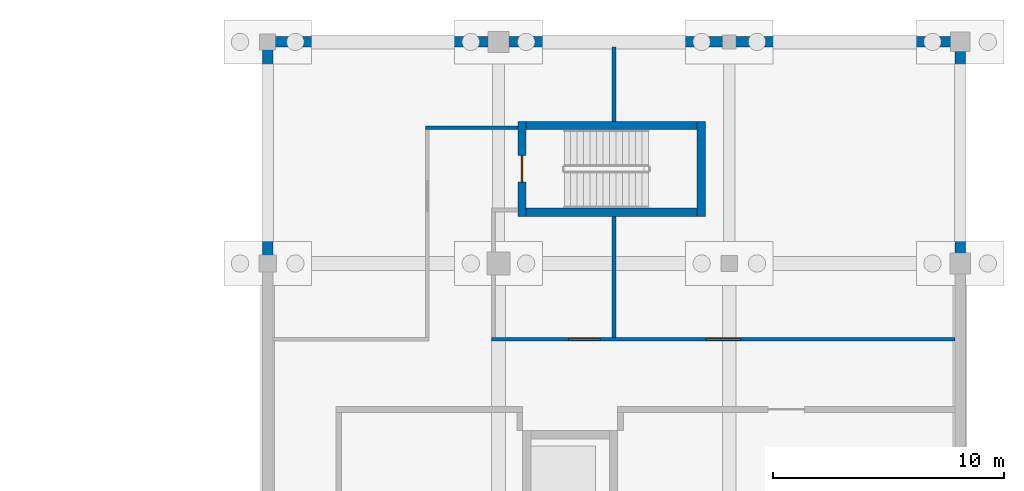
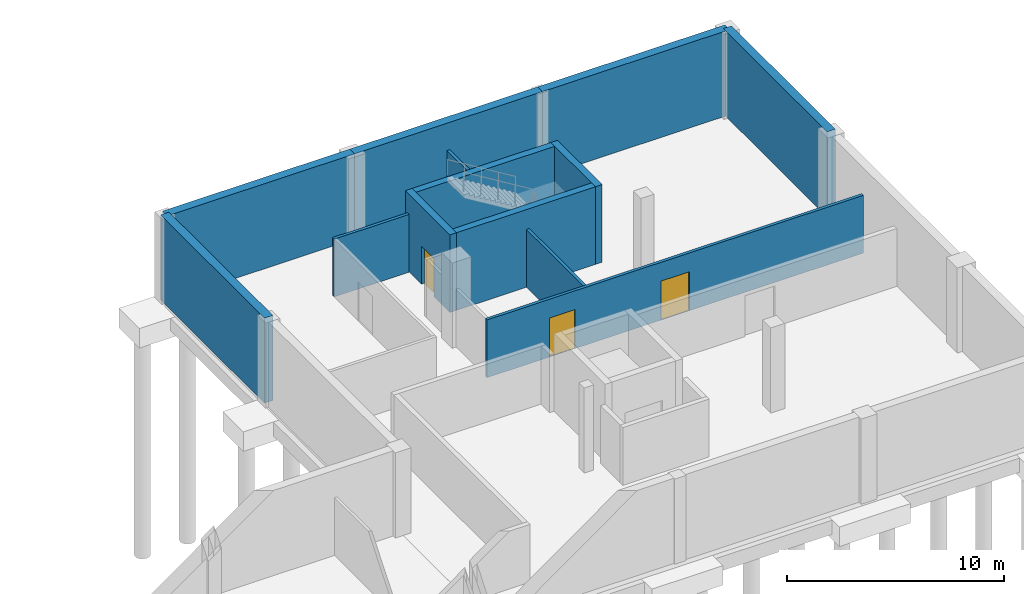
# One storey, part 19 of 28: 13 walls, 3 doors, 3 openings.
"""IFC4 building model written with IfcOpenShell, lengths in metres."""

from ifc_helpers import new_model, si_unit, direction, frame, frame_2d, origin, place, context, subcontext, project, spatial, rectangle, extrude, material, layer, layer_set, type_object, element, fill, save


model = new_model("IFC4")

# Units and contexts
model_context = context("Model", 3, precision=1e-05, world=origin(), true_north=direction((0.0, 1.0)))
body_context = subcontext(model_context, "Body", "Model", "MODEL_VIEW")
ifc_project = project(units=[si_unit("LENGTHUNIT", "METRE"), si_unit("AREAUNIT", "SQUARE_METRE"), si_unit("VOLUMEUNIT", "CUBIC_METRE"), si_unit("PLANEANGLEUNIT", "RADIAN"), si_unit("MASSUNIT", "GRAM", prefix="KILO")], contexts=[model_context])

# Site, building, storey
site_placement = place(None, origin())
site = spatial("IfcSite", under=ifc_project, at=site_placement, CompositionType="ELEMENT")
building_placement = place(site_placement, origin())
building = spatial("IfcBuilding", under=site, at=building_placement, Name="Zereglee Splitstone Museum", CompositionType="ELEMENT")
storey_placement = place(building_placement, frame((0.0, 0.0, -4.800048828125)))
storey = spatial("IfcBuildingStorey", under=building, at=storey_placement, Name="B1", CompositionType="ELEMENT", Elevation=-4.800048828125)

# Walls
ifc_material_1 = material(Name="Concrete C40/50", Category="concrete")
ifc_layer_1 = layer(ifc_material_1, 0.449951171875)
ifc_layer_set_1 = layer_set([ifc_layer_1], Name="Concrete C40/50")
wall_type_1 = type_object("IfcWallType", Name="ESW-01", PredefinedType="SHEAR", material=ifc_layer_set_1)
wall_1_placement = place(storey_placement, frame((326.0, 50.39990234375, 0.0), z_axis=(0.0, 0.0, 1.0), x_axis=(0.0, 1.0, 0.0)))
element("IfcWall", 1, at=wall_1_placement, inside=storey, type_object=wall_type_1, Name="Basement Perimeter Retaining Wall B1-034", PredefinedType="SHEAR", context=body_context, shape_type="SweptSolid", body=[
    extrude(rectangle(XDim=9.60009765625, YDim=0.449951171875, at=frame_2d((4.800048828125, 0.0))), origin(), (0.0, 0.0, 1.0), 4.800048828125),
])
for number, where, z_axis, x_axis, name in (
    (2, (326.0, 60.0, 0.0), (0.0, 0.0, 1.0), (-1.0, 0.0, 0.0), "Basement Perimeter Retaining Wall B1-035"),
    (3, (316.0, 60.0, 0.0), (0.0, 0.0, 1.0), (-1.0, 0.0, 0.0), "Basement Perimeter Retaining Wall B1-036"),
    (4, (306.0, 60.0, 0.0), (0.0, 0.0, 1.0), (-1.0, 0.0, 0.0), "Basement Perimeter Retaining Wall B1-037"),
):
    element("IfcWall", number, at=place(storey_placement, frame(where, z_axis=z_axis, x_axis=x_axis)), inside=storey, type_object=wall_type_1, Name=name, PredefinedType="SHEAR", context=body_context, shape_type="SweptSolid", body=[
        extrude(rectangle(XDim=10.0, YDim=0.449951171875, at=frame_2d((5.0, 0.0))), origin(), (0.0, 0.0, 1.0), 4.800048828125),
    ])
wall_2_placement = place(storey_placement, frame((296.0, 60.0, 0.0), z_axis=(0.0, 0.0, 1.0), x_axis=(0.0, -1.0, 0.0)))
element("IfcWall", 5, at=wall_2_placement, inside=storey, type_object=wall_type_1, Name="Basement Perimeter Retaining Wall B1-038", PredefinedType="SHEAR", context=body_context, shape_type="SweptSolid", body=[
    extrude(rectangle(XDim=9.60009765625, YDim=0.449951171875, at=frame_2d((4.800048828125, 0.0))), origin(), (0.0, 0.0, 1.0), 4.800048828125),
])

# Wall, opening, door
ifc_material_2 = material(Name="Concrete C45/55", Category="concrete")
ifc_layer_2 = layer(ifc_material_2, 0.360107421875)
ifc_layer_set_2 = layer_set([ifc_layer_2], Name="Concrete C45/55")
wall_type_2 = type_object("IfcWallType", Name="CSW-02", PredefinedType="SHEAR", material=ifc_layer_set_2)
wall_3_placement = place(storey_placement, frame((307.02001953125, 52.43994140625, 0.0), z_axis=(0.0, 0.0, 1.0), x_axis=(0.0, 1.0, 0.0)))
wall_3 = element("IfcWall", 6, at=wall_3_placement, inside=storey, type_object=wall_type_2, Name="Stair Core Shear Wall ST-08 B1 West", PredefinedType="SHEAR", context=body_context, shape_type="SweptSolid", body=[
    extrude(rectangle(XDim=4.1201171875, YDim=0.360107421875, at=frame_2d((2.06005859375, 0.0))), origin(), (0.0, 0.0, 1.0), 4.380126953125),
])
opening_1_placement = place(wall_3_placement, frame((1.485107421875, 0.0, 0.0)))
opening_1 = element("IfcOpeningElement", 7, at=opening_1_placement, cuts=wall_3, Name="Opening ID-03", PredefinedType="OPENING", context=body_context, shape_type="SweptSolid", body=[
    extrude(rectangle(XDim=1.14990234375, YDim=2.14990234375, at=frame_2d((0.574951171875, 1.074951171875))), frame((0.0, 0.19482421875, 0.0), z_axis=(0.0, -1.0, 0.0), x_axis=(1.0, 0.0, 0.0)), (0.0, 0.0, 1.0), 0.389892578125),
])
ifc_material_3 = material(Name="Fire-rated steel and Siberian larch leaf", Category="steel")
door_type_1 = type_object("IfcDoorType", Name="ID-03", OperationType="NOTDEFINED", PredefinedType="DOOR", material=ifc_material_3)
door_1_placement = place(opening_1_placement, origin())
door_1 = element("IfcDoor", 8, at=door_1_placement, inside=storey, type_object=door_type_1, Name="Protected Stair Fire Door ST-08 B1", OperationType="SINGLE_SWING_LEFT", OverallHeight=2.14990234375, OverallWidth=1.14990234375, PredefinedType="DOOR", context=body_context, shape_type="SweptSolid", body=[
    extrude(rectangle(XDim=1.14990234375, YDim=2.14990234375, at=frame_2d((0.574951171875, 1.074951171875))), frame((0.0, 0.02490234375, 0.0), z_axis=(0.0, -1.0, 0.0), x_axis=(1.0, 0.0, 0.0)), (0.0, 0.0, 1.0), 0.050048828125),
])
fill(opening_1, door_1)

# Walls
wall_4_placement = place(storey_placement, frame((314.780029296875, 52.43994140625, 0.0), z_axis=(0.0, 0.0, 1.0), x_axis=(0.0, 1.0, 0.0)))
element("IfcWall", 9, at=wall_4_placement, inside=storey, type_object=wall_type_2, Name="Stair Core Shear Wall ST-08 B1 East", PredefinedType="SHEAR", context=body_context, shape_type="SweptSolid", body=[
    extrude(rectangle(XDim=4.1201171875, YDim=0.360107421875, at=frame_2d((2.06005859375, 0.0))), origin(), (0.0, 0.0, 1.0), 4.380126953125),
])
for number, where, z_axis, x_axis, name in (
    (10, (307.199951171875, 56.3798828125, 0.0), (0.0, 0.0, 1.0), (1.0, 0.0, 0.0), "Stair Core Shear Wall ST-08 B1 North"),
    (11, (307.199951171875, 52.6201171875, 0.0), (0.0, 0.0, 1.0), (1.0, 0.0, 0.0), "Stair Core Shear Wall ST-08 B1 South"),
):
    element("IfcWall", number, at=place(storey_placement, frame(where, z_axis=z_axis, x_axis=x_axis)), inside=storey, type_object=wall_type_2, Name=name, PredefinedType="SHEAR", context=body_context, shape_type="SweptSolid", body=[
        extrude(rectangle(XDim=7.400146484375, YDim=0.360107421875, at=frame_2d((3.7001953125, 0.0))), origin(), (0.0, 0.0, 1.0), 4.380126953125),
    ])

# Wall, openings, doors
ifc_material_4 = material(Name="Fire-rated gypsum board partition", Category="masonry")
ifc_layer_3 = layer(ifc_material_4, 0.159912109375)
ifc_layer_set_3 = layer_set([ifc_layer_3], Name="Fire-rated gypsum board partition")
wall_type_3 = type_object("IfcWallType", Name="IW-04", PredefinedType="PARTITIONING", material=ifc_layer_set_3)
wall_5_placement = place(storey_placement, frame((305.699951171875, 47.1201171875, 0.0), z_axis=(0.0, 0.0, 1.0), x_axis=(1.0, 0.0, 0.0)))
wall_5 = element("IfcWall", 12, at=wall_5_placement, inside=storey, type_object=wall_type_3, Name="Interior Partition B1-0070 (Standby Conservation Power Plant Room Suite)", PredefinedType="PARTITIONING", context=body_context, shape_type="SweptSolid", body=[
    extrude(rectangle(XDim=20.074951171875, YDim=0.159912109375, at=frame_2d((10.03759765625, 0.0))), origin(), (0.0, 0.0, 1.0), 3.260009765625),
])
opening_2_placement = place(wall_5_placement, frame((3.340087890625, 0.0, 0.0)))
opening_2 = element("IfcOpeningElement", 13, at=opening_2_placement, cuts=wall_5, Name="Opening ID-08", PredefinedType="OPENING", context=body_context, shape_type="SweptSolid", body=[
    extrude(rectangle(XDim=1.35009765625, YDim=2.199951171875, at=frame_2d((0.675048828125, 1.10009765625))), frame((0.0, 0.0947265625, 0.0), z_axis=(0.0, -1.0, 0.0), x_axis=(1.0, 0.0, 0.0)), (0.0, 0.0, 1.0), 0.189697265625),
])
opening_3_placement = place(wall_5_placement, frame((9.28759765625, 0.0, 0.0)))
opening_3 = element("IfcOpeningElement", 14, at=opening_3_placement, cuts=wall_5, Name="Opening ID-07", PredefinedType="OPENING", context=body_context, shape_type="SweptSolid", body=[
    extrude(rectangle(XDim=1.5, YDim=2.199951171875, at=frame_2d((0.75, 1.10009765625))), frame((0.0, 0.0947265625, 0.0), z_axis=(0.0, -1.0, 0.0), x_axis=(1.0, 0.0, 0.0)), (0.0, 0.0, 1.0), 0.189697265625),
])
door_type_2 = type_object("IfcDoorType", Name="ID-07", OperationType="NOTDEFINED", PredefinedType="DOOR", material=ifc_material_3)
door_2_placement = place(opening_3_placement, origin())
door_2 = element("IfcDoor", 15, at=door_2_placement, inside=storey, type_object=door_type_2, Name="Interior Door B1-0023 (Specimen Quarantine Laboratory)", OperationType="DOUBLE_DOOR_SINGLE_SWING", OverallHeight=2.199951171875, OverallWidth=1.5, PredefinedType="DOOR", context=body_context, shape_type="SweptSolid", body=[
    extrude(rectangle(XDim=1.5, YDim=2.199951171875, at=frame_2d((0.75, 1.10009765625))), frame((0.0, 0.02490234375, 0.0), z_axis=(0.0, -1.0, 0.0), x_axis=(1.0, 0.0, 0.0)), (0.0, 0.0, 1.0), 0.050048828125),
])
fill(opening_3, door_2)
door_type_3 = type_object("IfcDoorType", Name="ID-08", OperationType="NOTDEFINED", PredefinedType="DOOR", material=ifc_material_3)
door_3_placement = place(opening_2_placement, origin())
door_3 = element("IfcDoor", 16, at=door_3_placement, inside=storey, type_object=door_type_3, Name="Interior Door B1-0022 (Standby Conservation Power Plant Room Suite)", OperationType="SINGLE_SWING_LEFT", OverallHeight=2.199951171875, OverallWidth=1.35009765625, PredefinedType="DOOR", context=body_context, shape_type="SweptSolid", body=[
    extrude(rectangle(XDim=1.35009765625, YDim=2.199951171875, at=frame_2d((0.675048828125, 1.10009765625))), frame((0.0, 0.02490234375, 0.0), z_axis=(0.0, -1.0, 0.0), x_axis=(1.0, 0.0, 0.0)), (0.0, 0.0, 1.0), 0.050048828125),
])
fill(opening_2, door_3)

# Walls
wall_6_placement = place(storey_placement, frame((302.840087890625, 56.280029296875, 0.0), z_axis=(0.0, 0.0, 1.0), x_axis=(1.0, 0.0, 0.0)))
element("IfcWall", 17, at=wall_6_placement, inside=storey, type_object=wall_type_3, Name="Interior Partition B1-0072 (Standby Conservation Power Plant Room)", PredefinedType="PARTITIONING", context=body_context, shape_type="SweptSolid", body=[
    extrude(rectangle(XDim=4.0, YDim=0.159912109375, at=frame_2d((2.0, 0.0))), origin(), (0.0, 0.0, 1.0), 3.260009765625),
])
wall_7_placement = place(storey_placement, frame((311.0, 47.199951171875, 0.0), z_axis=(0.0, 0.0, 1.0), x_axis=(0.0, 1.0, 0.0)))
element("IfcWall", 18, at=wall_7_placement, inside=storey, type_object=wall_type_3, Name="Interior Partition B1-0150 (Standby Conservation Power Plant Room Suite)", PredefinedType="PARTITIONING", context=body_context, shape_type="SweptSolid", body=[
    extrude(rectangle(XDim=5.239990234375, YDim=0.159912109375, at=frame_2d((2.6201171875, 0.0))), origin(), (0.0, 0.0, 1.0), 3.260009765625),
])
wall_8_placement = place(storey_placement, frame((311.0, 56.56005859375, 0.0), z_axis=(0.0, 0.0, 1.0), x_axis=(0.0, 1.0, 0.0)))
element("IfcWall", 19, at=wall_8_placement, inside=storey, type_object=wall_type_3, Name="Interior Partition B1-0151 (Standby Conservation Power Plant Room)", PredefinedType="PARTITIONING", context=body_context, shape_type="SweptSolid", body=[
    extrude(rectangle(XDim=3.21484375, YDim=0.159912109375, at=frame_2d((1.607421875, 0.0))), origin(), (0.0, 0.0, 1.0), 3.260009765625),
])

save(model, "model.ifc")
